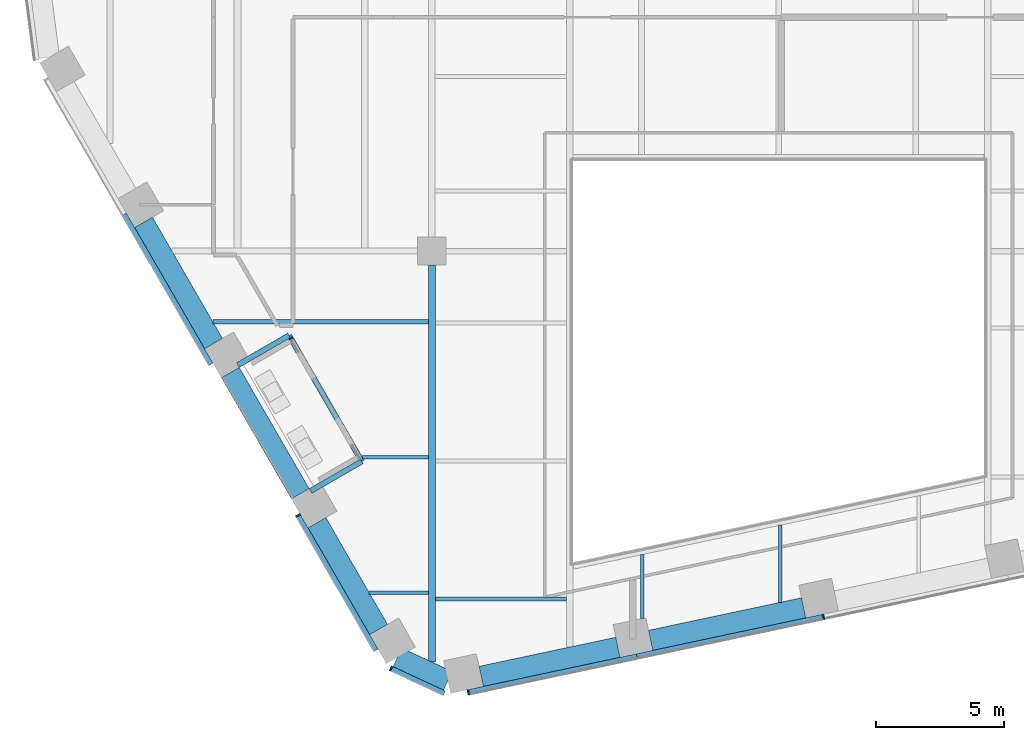
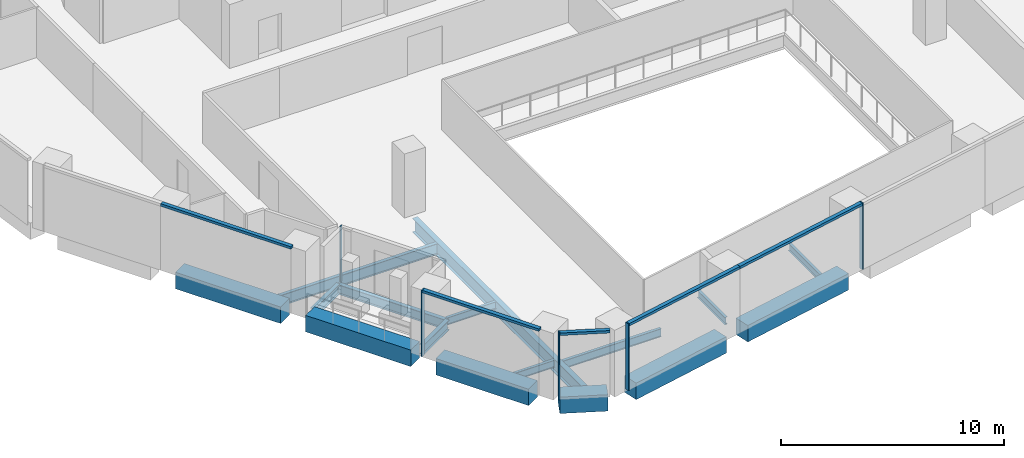
# One storey, part 2 of 26: 16 beams, 10 members, 4 elements without a shape of their own.
"""IFC4 building model written with IfcOpenShell, lengths in metres."""

from ifc_helpers import new_model, si_unit, direction, frame, origin, origin_2d, place, context, subcontext, project, spatial, rectangle, i_section, extrude, material, layer, layer_set, material_profile, profile_set, type_object, element, aggregate, save


model = new_model("IFC4")

# Units and contexts
model_context = context("Model", 3, precision=1e-05, world=origin(), true_north=direction((0.0, 1.0)))
body_context = subcontext(model_context, "Body", "Model", "MODEL_VIEW")
ifc_project = project(units=[si_unit("LENGTHUNIT", "METRE"), si_unit("AREAUNIT", "SQUARE_METRE"), si_unit("VOLUMEUNIT", "CUBIC_METRE"), si_unit("PLANEANGLEUNIT", "RADIAN"), si_unit("MASSUNIT", "GRAM", prefix="KILO")], contexts=[model_context])

# Site, building, storey
site_placement = place(None, origin())
site = spatial("IfcSite", under=ifc_project, at=site_placement, CompositionType="ELEMENT")
building_placement = place(site_placement, origin())
building = spatial("IfcBuilding", under=site, at=building_placement, Name="Isthmus Gate Tower", CompositionType="ELEMENT")
storey_placement = place(building_placement, frame((0.0, 0.0, 189.050048828125)))
storey = spatial("IfcBuildingStorey", under=building, at=storey_placement, Name="L47", CompositionType="ELEMENT", Elevation=189.050048828125)

# Curtain wall, member
ifc_material_1 = material(Name="Aluminium, pale champagne anodised", Category="aluminium")
ifc_layer_1 = layer(ifc_material_1, 0.199951171875)
ifc_layer_set_1 = layer_set([ifc_layer_1], Name="CW-1 UNITISED CURTAIN WALL 200 DEEP")
curtain_wall_type_1 = type_object("IfcCurtainWallType", Name="CW-1 UNITISED CURTAIN WALL 200 DEEP", PredefinedType="NOTDEFINED", material=ifc_layer_set_1)
curtain_wall_1_placement = place(storey_placement, origin())
curtain_wall_1 = element("IfcCurtainWall", 1, at=curtain_wall_1_placement, inside=storey, type_object=curtain_wall_type_1, Name="CW-1 SW L47", PredefinedType="NOTDEFINED")
ifc_material_2 = material(Name="Aluminium, pale champagne anodised", Category="aluminium")
ifc_material_profile_1 = material_profile(ifc_material_2, rectangle(XDim=0.06005859375, YDim=0.199951171875, at=origin_2d()), Name="60x200")
ifc_profile_set_1 = profile_set([ifc_material_profile_1], Name="Aluminium, pale champagne anodised")
member_type_1 = type_object("IfcMemberType", Name="CW-1 MULLION 60 X 200", PredefinedType="MULLION", material=ifc_profile_set_1)
member_1_placement = place(storey_placement, frame((-18.71435546875, -23.78564453125, 0.0), z_axis=(0.0, 0.0, 1.0), x_axis=(0.5, -0.866025403784, 0.0)))
member_1 = element("IfcMember", 2, at=member_1_placement, type_object=member_type_1, Name="CW-1 mullion", PredefinedType="MULLION", context=body_context, shape_type="SweptSolid", body=[
    extrude(rectangle(XDim=0.06005859375, YDim=0.199951171875, at=origin_2d()), origin(), (0.0, 0.0, 1.0), 3.64990234375),
])

curtain_wall_2_placement = place(storey_placement, origin())
curtain_wall_2 = element("IfcCurtainWall", 3, at=curtain_wall_2_placement, inside=storey, type_object=curtain_wall_type_1, Name="CW-1 SW-S L47", PredefinedType="NOTDEFINED")
member_2_placement = place(storey_placement, frame((-15.091064453125, -29.74755859375, 0.0), z_axis=(0.0, 0.0, 1.0), x_axis=(0.907256261367, -0.420578264073, 0.0)))
member_2 = element("IfcMember", 4, at=member_2_placement, type_object=member_type_1, Name="CW-1 mullion", PredefinedType="MULLION", context=body_context, shape_type="SweptSolid", body=[
    extrude(rectangle(XDim=0.06005859375, YDim=0.199951171875, at=origin_2d()), origin(), (0.0, 0.0, 1.0), 3.64990234375),
])

# Curtain wall, members
curtain_wall_3_placement = place(storey_placement, origin())
curtain_wall_3 = element("IfcCurtainWall", 5, at=curtain_wall_3_placement, inside=storey, type_object=curtain_wall_type_1, Name="CW-1 S L47", PredefinedType="NOTDEFINED")
member_3_placement = place(storey_placement, frame((-12.082763671875, -30.67041015625, 0.0), z_axis=(0.0, 0.0, 1.0), x_axis=(0.978147600734, 0.207911690818, 0.0)))
member_3 = element("IfcMember", 6, at=member_3_placement, type_object=member_type_1, Name="CW-1 mullion", PredefinedType="MULLION", context=body_context, shape_type="SweptSolid", body=[
    extrude(rectangle(XDim=0.06005859375, YDim=0.199951171875, at=origin_2d()), origin(), (0.0, 0.0, 1.0), 3.64990234375),
])
member_4_placement = place(storey_placement, frame((1.740234375, -27.732421875, 0.0), z_axis=(0.0, 0.0, 1.0), x_axis=(0.978147600734, 0.207911690818, 0.0)))
member_4 = element("IfcMember", 7, at=member_4_placement, type_object=member_type_1, Name="CW-1 mullion", PredefinedType="MULLION", context=body_context, shape_type="SweptSolid", body=[
    extrude(rectangle(XDim=0.06005859375, YDim=0.199951171875, at=origin_2d()), origin(), (0.0, 0.0, 1.0), 3.64990234375),
])

# Member
ifc_material_3 = material(Name="Aluminium, pale champagne anodised", Category="aluminium")
ifc_material_profile_2 = material_profile(ifc_material_3, rectangle(XDim=0.199951171875, YDim=0.139892578125, at=origin_2d()), Name="200x140")
ifc_profile_set_2 = profile_set([ifc_material_profile_2], Name="Aluminium, pale champagne anodised")
member_type_2 = type_object("IfcMemberType", Name="CW-1 TRANSOM 200 X 140", PredefinedType="USERDEFINED", material=ifc_profile_set_2)
member_5_placement = place(storey_placement, frame((-25.4794921875, -12.068115234375, 3.579833984375), z_axis=(0.49998230858, -0.86603561769, 0.0), x_axis=(0.86603561769, 0.49998230858, 0.0)))
member_5 = element("IfcMember", 8, at=member_5_placement, type_object=member_type_2, Name="CW-1 transom", ObjectType="TRANSOM", PredefinedType="USERDEFINED", context=body_context, shape_type="SweptSolid", body=[
    extrude(rectangle(XDim=0.199951171875, YDim=0.139892578125, at=origin_2d()), origin(), (0.0, 0.0, 1.0), 6.750244140625),
])

member_6_placement = place(storey_placement, frame((-18.699462890625, -23.811767578125, 3.579833984375), z_axis=(0.499990697366, -0.866030774596, 0.0), x_axis=(0.866030774596, 0.499990697366, 0.0)))
member_6 = element("IfcMember", 9, at=member_6_placement, type_object=member_type_2, Name="CW-1 transom", ObjectType="TRANSOM", PredefinedType="USERDEFINED", context=body_context, shape_type="SweptSolid", body=[
    extrude(rectangle(XDim=0.199951171875, YDim=0.139892578125, at=origin_2d()), origin(), (0.0, 0.0, 1.0), 6.0400390625),
])

aggregate(curtain_wall_1, [member_5, member_1, member_6])

member_7_placement = place(storey_placement, frame((-15.06396484375, -29.76025390625, 3.579833984375), z_axis=(0.907246225564, -0.420599912268, 0.0), x_axis=(0.420599912268, 0.907246225564, 0.0)))
member_7 = element("IfcMember", 10, at=member_7_placement, type_object=member_type_2, Name="CW-1 transom", ObjectType="TRANSOM", PredefinedType="USERDEFINED", context=body_context, shape_type="SweptSolid", body=[
    extrude(rectangle(XDim=0.199951171875, YDim=0.139892578125, at=origin_2d()), origin(), (0.0, 0.0, 1.0), 2.258544921875),
])

aggregate(curtain_wall_2, [member_2, member_7])

member_8_placement = place(storey_placement, frame((-12.05322265625, -30.664306640625, 3.579833984375), z_axis=(0.97814231579, 0.207936552972, 0.0), x_axis=(-0.207936552972, 0.97814231579, 0.0)))
member_8 = element("IfcMember", 11, at=member_8_placement, type_object=member_type_2, Name="CW-1 transom", ObjectType="TRANSOM", PredefinedType="USERDEFINED", context=body_context, shape_type="SweptSolid", body=[
    extrude(rectangle(XDim=0.199951171875, YDim=0.139892578125, at=origin_2d()), origin(), (0.0, 0.0, 1.0), 6.6806640625),
])

member_9_placement = place(storey_placement, frame((-5.5185546875, -29.275146484375, 3.579833984375), z_axis=(0.978147683684, 0.207911300568, 0.0), x_axis=(-0.207911300568, 0.978147683684, 0.0)))
member_9 = element("IfcMember", 12, at=member_9_placement, type_object=member_type_2, Name="CW-1 transom", ObjectType="TRANSOM", PredefinedType="USERDEFINED", context=body_context, shape_type="SweptSolid", body=[
    extrude(rectangle(XDim=0.199951171875, YDim=0.139892578125, at=origin_2d()), origin(), (0.0, 0.0, 1.0), 7.390869140625),
])

aggregate(curtain_wall_3, [member_3, member_8, member_9, member_4])

# Curtain wall, member
ifc_material_4 = material(Name="Aluminium, pale champagne anodised", Category="aluminium")
ifc_layer_2 = layer(ifc_material_4, 0.14990234375)
ifc_layer_set_2 = layer_set([ifc_layer_2], Name="CW-6 LOGGIA BACK WALL GLAZING 150 DEEP")
curtain_wall_type_2 = type_object("IfcCurtainWallType", Name="CW-6 LOGGIA BACK WALL GLAZING 150 DEEP", PredefinedType="NOTDEFINED", material=ifc_layer_set_2)
curtain_wall_4_placement = place(storey_placement, origin())
curtain_wall_4 = element("IfcCurtainWall", 13, at=curtain_wall_4_placement, inside=storey, type_object=curtain_wall_type_2, Name="CW-6 SW L47", PredefinedType="NOTDEFINED")
ifc_material_5 = material(Name="Aluminium, pale champagne anodised", Category="aluminium")
ifc_material_profile_3 = material_profile(ifc_material_5, rectangle(XDim=0.06005859375, YDim=0.14990234375, at=origin_2d()), Name="60x150")
ifc_profile_set_3 = profile_set([ifc_material_profile_3], Name="Aluminium, pale champagne anodised")
member_type_3 = type_object("IfcMemberType", Name="CW-6 MULLION 60 X 150", PredefinedType="MULLION", material=ifc_profile_set_3)
member_10_placement = place(storey_placement, frame((-18.9931640625, -16.90283203125, 0.0), z_axis=(0.0, 0.0, 1.0), x_axis=(0.5, -0.866025403784, 0.0)))
member_10 = element("IfcMember", 14, at=member_10_placement, type_object=member_type_3, Name="CW-6 mullion", PredefinedType="MULLION", context=body_context, shape_type="SweptSolid", body=[
    extrude(rectangle(XDim=0.06005859375, YDim=0.14990234375, at=origin_2d()), origin(), (0.0, 0.0, 1.0), 3.050048828125),
])
aggregate(curtain_wall_4, [member_10])

# Beams
ifc_material_6 = material(Name="Concrete f'c 60 MPa", Category="concrete")
ifc_material_profile_4 = material_profile(ifc_material_6, rectangle(XDim=0.800048828125, YDim=0.89990234375, at=origin_2d()), Name="RC 800X900")
ifc_profile_set_4 = profile_set([ifc_material_profile_4], Name="Concrete f'c 60 MPa")
beam_type_1 = type_object("IfcBeamType", Name="RC SPANDREL 800 X 900", PredefinedType="SPANDREL", material=ifc_profile_set_4)
beam_1_placement = place(storey_placement, frame((0.970947265625, -27.384765625, -0.449951171875), z_axis=(-0.978146012851, -0.207919161079, 0.0), x_axis=(0.207919161079, -0.978146012851, 0.0)))
element("IfcBeam", 15, at=beam_1_placement, inside=storey, type_object=beam_type_1, Name="str-spandrel-L47-13", PredefinedType="SPANDREL", context=body_context, shape_type="SweptSolid", body=[
    extrude(rectangle(XDim=0.800048828125, YDim=0.89990234375, at=origin_2d()), origin(), (0.0, 0.0, 1.0), 6.090576171875),
])
beam_2_placement = place(storey_placement, frame((-6.25830078125, -28.92138671875, -0.449951171875), z_axis=(-0.978150410773, -0.207898470186, 0.0), x_axis=(0.207898470186, -0.978150410773, 0.0)))
element("IfcBeam", 16, at=beam_2_placement, inside=storey, type_object=beam_type_1, Name="str-spandrel-L47-14", PredefinedType="SPANDREL", context=body_context, shape_type="SweptSolid", body=[
    extrude(rectangle(XDim=0.800048828125, YDim=0.89990234375, at=origin_2d()), origin(), (0.0, 0.0, 1.0), 5.440673828125),
])
beam_3_placement = place(storey_placement, frame((-12.87255859375, -30.224853515625, -0.449951171875), z_axis=(-0.907290744498, 0.420503870314, 0.0), x_axis=(-0.420503870314, -0.907290744498, 0.0)))
element("IfcBeam", 17, at=beam_3_placement, inside=storey, type_object=beam_type_1, Name="str-spandrel-L47-15", PredefinedType="SPANDREL", context=body_context, shape_type="SweptSolid", body=[
    extrude(rectangle(XDim=0.800048828125, YDim=0.89990234375, at=origin_2d()), origin(), (0.0, 0.0, 1.0), 2.173095703125),
])
beam_4_placement = place(storey_placement, frame((-15.5712890625, -28.229736328125, -0.449951171875), z_axis=(-0.500017431331, 0.866015339567, 0.0), x_axis=(-0.866015339567, -0.500017431331, 0.0)))
element("IfcBeam", 18, at=beam_4_placement, inside=storey, type_object=beam_type_1, Name="str-spandrel-L47-16", PredefinedType="SPANDREL", context=body_context, shape_type="SweptSolid", body=[
    extrude(rectangle(XDim=0.800048828125, YDim=0.89990234375, at=origin_2d()), origin(), (0.0, 0.0, 1.0), 4.800048828125),
])
for number, where, z_axis, x_axis, name in (
    (19, (-18.621337890625, -22.94677734375, -0.449951171875), (-0.500002931134, 0.866023711487, 0.0), (-0.866023711487, -0.500002931134, 0.0), "str-spandrel-L47-17"),
    (20, (-21.996337890625, -17.10107421875, -0.449951171875), (-0.500002931134, 0.866023711487, 0.0), (-0.866023711487, -0.500002931134, 0.0), "str-spandrel-L47-18"),
):
    element("IfcBeam", number, at=place(storey_placement, frame(where, z_axis=z_axis, x_axis=x_axis)), inside=storey, type_object=beam_type_1, Name=name, PredefinedType="SPANDREL", context=body_context, shape_type="SweptSolid", body=[
        extrude(rectangle(XDim=0.800048828125, YDim=0.89990234375, at=origin_2d()), origin(), (0.0, 0.0, 1.0), 5.4501953125),
    ])
ifc_material_7 = material(Name="Structural steel ASTM A992 Gr 50", Category="steel")
ifc_material_profile_5 = material_profile(ifc_material_7, i_section(OverallWidth=0.1396484375, OverallDepth=0.4033203125, WebThickness=0.00634765625, FlangeThickness=0.010986328125, at=origin_2d()), Name="W16X31")
ifc_profile_set_5 = profile_set([ifc_material_profile_5], Name="Structural steel ASTM A992 Gr 50")
beam_type_2 = type_object("IfcBeamType", Name="STEEL FLOOR BEAM W16X31", PredefinedType="JOIST", material=ifc_profile_set_5)
beam_5_placement = place(storey_placement, frame((-15.937744140625, -26.795166015625, -0.3515625), z_axis=(1.0, 0.0, 0.0), x_axis=(0.0, 1.0, 0.0)))
element("IfcBeam", 21, at=beam_5_placement, inside=storey, type_object=beam_type_2, Name="str-beam-L47-04-00", PredefinedType="JOIST", context=body_context, shape_type="SweptSolid", body=[
    extrude(i_section(OverallWidth=0.1396484375, OverallDepth=0.4033203125, WebThickness=0.00634765625, FlangeThickness=0.010986328125, at=origin_2d()), origin(), (0.0, 0.0, 1.0), 2.304443359375),
])
beam_6_placement = place(storey_placement, frame((-16.199462890625, -21.52294921875, -0.3515625), z_axis=(1.0, 0.0, 0.0), x_axis=(0.0, 1.0, 0.0)))
element("IfcBeam", 22, at=beam_6_placement, inside=storey, type_object=beam_type_2, Name="str-beam-L47-04-01", PredefinedType="JOIST", context=body_context, shape_type="SweptSolid", body=[
    extrude(i_section(OverallWidth=0.1396484375, OverallDepth=0.4033203125, WebThickness=0.00634765625, FlangeThickness=0.010986328125, at=origin_2d()), origin(), (0.0, 0.0, 1.0), 2.566162109375),
])
beam_7_placement = place(storey_placement, frame((-5.311279296875, -27.7998046875, -0.3515625), z_axis=(0.0, 1.0, 0.0), x_axis=(-1.0, 0.0, 0.0)))
element("IfcBeam", 23, at=beam_7_placement, inside=storey, type_object=beam_type_2, Name="str-beam-L47-10-00", PredefinedType="JOIST", context=body_context, shape_type="SweptSolid", body=[
    extrude(i_section(OverallWidth=0.1396484375, OverallDepth=0.4033203125, WebThickness=0.00634765625, FlangeThickness=0.010986328125, at=origin_2d()), origin(), (0.0, 0.0, 1.0), 2.487548828125),
])
beam_8_placement = place(storey_placement, frame((0.06591796875, -27.168212890625, -0.3515625), z_axis=(0.0, 1.0, 0.0), x_axis=(-1.0, 0.0, 0.0)))
element("IfcBeam", 24, at=beam_8_placement, inside=storey, type_object=beam_type_2, Name="str-beam-L47-10-01", PredefinedType="JOIST", context=body_context, shape_type="SweptSolid", body=[
    extrude(i_section(OverallWidth=0.1396484375, OverallDepth=0.4033203125, WebThickness=0.00634765625, FlangeThickness=0.010986328125, at=origin_2d()), origin(), (0.0, 0.0, 1.0), 2.9990234375),
])
ifc_material_8 = material(Name="Structural steel ASTM A992 Gr 50", Category="steel")
ifc_material_profile_6 = material_profile(ifc_material_8, i_section(OverallWidth=0.15234375, OverallDepth=0.45068359375, WebThickness=0.0078125, FlangeThickness=0.010986328125, at=origin_2d()), Name="W18X35")
ifc_profile_set_6 = profile_set([ifc_material_profile_6], Name="Structural steel ASTM A992 Gr 50")
beam_type_3 = type_object("IfcBeamType", Name="STEEL FLOOR BEAM W18X35", PredefinedType="JOIST", material=ifc_profile_set_6)
beam_9_placement = place(storey_placement, frame((-13.36669921875, -27.04736328125, -0.37548828125), z_axis=(1.0, 0.0, 0.0), x_axis=(0.0, 1.0, 0.0)))
element("IfcBeam", 25, at=beam_9_placement, inside=storey, type_object=beam_type_3, Name="str-beam-L47-05-00", PredefinedType="JOIST", context=body_context, shape_type="SweptSolid", body=[
    extrude(i_section(OverallWidth=0.15234375, OverallDepth=0.45068359375, WebThickness=0.0078125, FlangeThickness=0.010986328125, at=origin_2d()), origin(), (0.0, 0.0, 1.0), 5.10009765625),
])
ifc_material_9 = material(Name="Structural steel ASTM A992 Gr 50", Category="steel")
ifc_material_profile_7 = material_profile(ifc_material_9, i_section(OverallWidth=0.177734375, OverallDepth=0.60009765625, WebThickness=0.009521484375, FlangeThickness=0.0126953125, at=origin_2d()), Name="W24X55")
ifc_profile_set_7 = profile_set([ifc_material_profile_7], Name="Structural steel ASTM A992 Gr 50")
beam_type_4 = type_object("IfcBeamType", Name="STEEL FLOOR BEAM W24X55", PredefinedType="JOIST", material=ifc_profile_set_7)
beam_10_placement = place(storey_placement, frame((-22.025634765625, -16.25048828125, -0.4501953125), z_axis=(1.0, 0.0, 0.0), x_axis=(0.0, 1.0, 0.0)))
element("IfcBeam", 26, at=beam_10_placement, inside=storey, type_object=beam_type_4, Name="str-beam-L47-04-02", PredefinedType="JOIST", context=body_context, shape_type="SweptSolid", body=[
    extrude(i_section(OverallWidth=0.177734375, OverallDepth=0.60009765625, WebThickness=0.009521484375, FlangeThickness=0.0126953125, at=origin_2d()), origin(), (0.0, 0.0, 1.0), 8.392333984375),
])
ifc_material_10 = material(Name="Structural steel ASTM A992 Gr 50", Category="steel")
ifc_material_profile_8 = material_profile(ifc_material_10, i_section(OverallWidth=0.2666015625, OverallDepth=0.7587890625, WebThickness=0.014404296875, FlangeThickness=0.01904296875, at=origin_2d()), Name="W30X108")
ifc_profile_set_8 = profile_set([ifc_material_profile_8], Name="Structural steel ASTM A992 Gr 50")
beam_type_5 = type_object("IfcBeamType", Name="STEEL GIRDER W30X108", PredefinedType="BEAM", material=ifc_profile_set_8)
beam_11_placement = place(storey_placement, frame((-13.5, -29.4931640625, -0.529541015625), z_axis=(0.0, 1.0, 0.0), x_axis=(-1.0, 0.0, 0.0)))
element("IfcBeam", 27, at=beam_11_placement, inside=storey, type_object=beam_type_5, Name="str-girder-L47-06", PredefinedType="BEAM", context=body_context, shape_type="SweptSolid", body=[
    extrude(i_section(OverallWidth=0.2666015625, OverallDepth=0.7587890625, WebThickness=0.014404296875, FlangeThickness=0.01904296875, at=origin_2d()), origin(), (0.0, 0.0, 1.0), 15.443115234375),
])
ifc_material_11 = material(Name="Structural steel ASTM A992 Gr 50", Category="steel")
ifc_material_profile_9 = material_profile(ifc_material_11, i_section(OverallWidth=0.20947265625, OverallDepth=0.533447265625, WebThickness=0.009521484375, FlangeThickness=0.015869140625, at=origin_2d()), Name="W21X62")
ifc_profile_set_9 = profile_set([ifc_material_profile_9], Name="Structural steel ASTM A992 Gr 50")
beam_type_6 = type_object("IfcBeamType", Name="STEEL TRIMMER W21X62", PredefinedType="BEAM", material=ifc_profile_set_9)
beam_12_placement = place(storey_placement, frame((-19.056396484375, -16.78369140625, -0.416748046875), z_axis=(0.500003752798, -0.866023237095, 0.0), x_axis=(0.866023237095, 0.500003752798, 0.0)))
element("IfcBeam", 28, at=beam_12_placement, inside=storey, type_object=beam_type_6, Name="str-loggiatrim-L47-03-B", PredefinedType="BEAM", context=body_context, shape_type="SweptSolid", body=[
    extrude(i_section(OverallWidth=0.20947265625, OverallDepth=0.533447265625, WebThickness=0.009521484375, FlangeThickness=0.015869140625, at=origin_2d()), origin(), (0.0, 0.0, 1.0), 5.65966796875),
])
for number, where, z_axis, x_axis, name in (
    (29, (-21.052490234375, -17.93603515625, -0.416748046875), (0.866044474677, 0.49996696679, 0.0), (-0.49996696679, 0.866044474677, 0.0), "str-loggiatrim-L47-03-A"),
    (30, (-18.22265625, -22.837646484375, -0.416748046875), (0.865998608524, 0.500046407882, 0.0), (-0.500046407882, 0.865998608524, 0.0), "str-loggiatrim-L47-03-C"),
):
    element("IfcBeam", number, at=place(storey_placement, frame(where, z_axis=z_axis, x_axis=x_axis)), inside=storey, type_object=beam_type_6, Name=name, PredefinedType="BEAM", context=body_context, shape_type="SweptSolid", body=[
        extrude(i_section(OverallWidth=0.20947265625, OverallDepth=0.533447265625, WebThickness=0.009521484375, FlangeThickness=0.015869140625, at=origin_2d()), origin(), (0.0, 0.0, 1.0), 2.304931640625),
    ])

save(model, "model.ifc")
